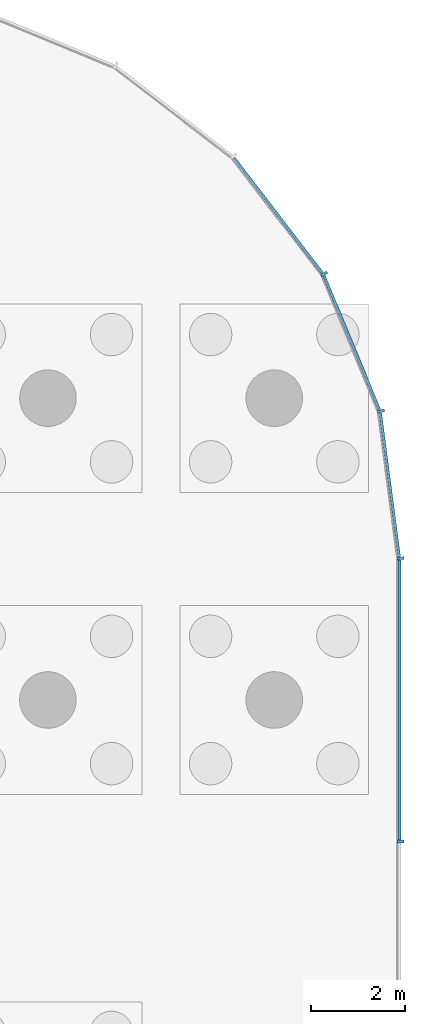
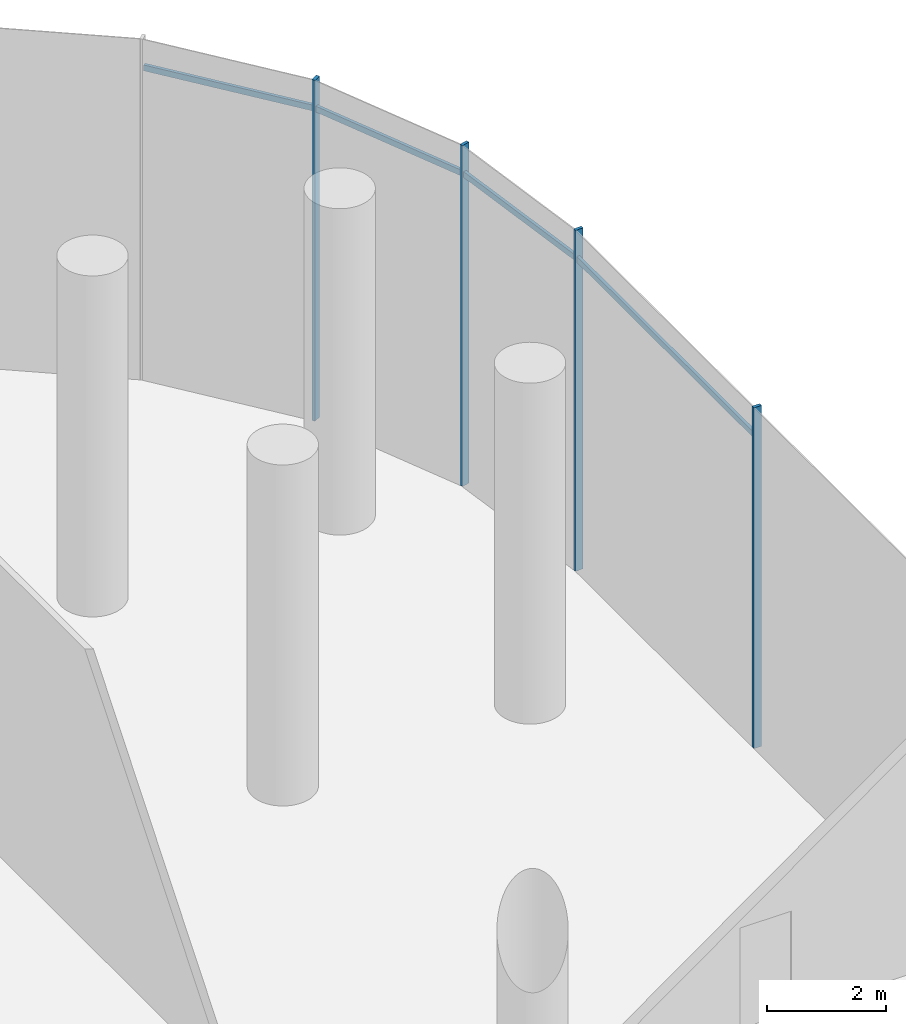
# One storey, part 19 of 41: 8 members, 1 element without a shape of its own.
"""IFC4 building model written with IfcOpenShell, lengths in metres."""

from ifc_helpers import new_model, si_unit, direction, frame, origin, origin_2d, place, context, subcontext, project, spatial, rectangle, extrude, material, material_profile, profile_set, type_object, element, aggregate, save


model = new_model("IFC4")

# Units and contexts
model_context = context("Model", 3, precision=1e-05, world=origin(), true_north=direction((0.0, 1.0)))
body_context = subcontext(model_context, "Body", "Model", "MODEL_VIEW")
ifc_project = project(units=[si_unit("LENGTHUNIT", "METRE"), si_unit("AREAUNIT", "SQUARE_METRE"), si_unit("VOLUMEUNIT", "CUBIC_METRE"), si_unit("PLANEANGLEUNIT", "RADIAN"), si_unit("MASSUNIT", "GRAM", prefix="KILO")], contexts=[model_context])

# Site, building, storey
site_placement = place(None, origin())
site = spatial("IfcSite", under=ifc_project, at=site_placement, CompositionType="ELEMENT")
building_placement = place(site_placement, origin())
building = spatial("IfcBuilding", under=site, at=building_placement, Name="Rimbun Link Towers", CompositionType="ELEMENT")
storey_placement = place(building_placement, origin())
storey = spatial("IfcBuildingStorey", under=building, at=storey_placement, Name="L00", CompositionType="ELEMENT", Elevation=0.0)

# Curtain wall, members
ifc_material_1 = material(Name="Aluminium 6063-T6 and low-iron glass", Category="aluminium")
curtain_wall_type = type_object("IfcCurtainWallType", Name="CW3 podium shopfront", PredefinedType="NOTDEFINED", material=ifc_material_1)
curtain_wall_placement = place(storey_placement, origin())
curtain_wall = element("IfcCurtainWall", 1, at=curtain_wall_placement, inside=storey, type_object=curtain_wall_type, Name="CW3 L00 PD", PredefinedType="NOTDEFINED")
ifc_material_2 = material(Name="Aluminium 6063-T6", Category="aluminium")
ifc_material_profile_1 = material_profile(ifc_material_2, rectangle(XDim=0.14990234375, YDim=0.06005859375, at=origin_2d()), Name="MULLION 60X150")
ifc_profile_set_1 = profile_set([ifc_material_profile_1], Name="Aluminium 6063-T6")
member_type_1 = type_object("IfcMemberType", Name="CW3 mullion 60X150", PredefinedType="MULLION", material=ifc_profile_set_1)
member_1_placement = place(storey_placement, frame((62.074951171875, 18.0, 0.0), z_axis=(0.0, 0.0, 1.0), x_axis=(1.0, 0.0, 0.0)))
member_1 = element("IfcMember", 2, at=member_1_placement, type_object=member_type_1, Name="CW3 mullion", PredefinedType="MULLION", context=body_context, shape_type="SweptSolid", body=[
    extrude(rectangle(XDim=0.14990234375, YDim=0.06005859375, at=origin_2d()), origin(), (0.0, 0.0, 1.0), 7.0),
])
member_2_placement = place(storey_placement, frame((62.074951171875, 24.0048828125, 0.0), z_axis=(0.0, 0.0, 1.0), x_axis=(0.997858781723, 0.065405288299, 0.0)))
member_2 = element("IfcMember", 3, at=member_2_placement, type_object=member_type_1, Name="CW3 mullion", PredefinedType="MULLION", context=body_context, shape_type="SweptSolid", body=[
    extrude(rectangle(XDim=0.14990234375, YDim=0.06005859375, at=origin_2d()), origin(), (0.0, 0.0, 1.0), 7.0),
])
member_3_placement = place(storey_placement, frame((61.66357421875, 27.125244140625, 0.0), z_axis=(0.0, 0.0, 1.0), x_axis=(0.965925910978, 0.258818729038, 0.0)))
member_3 = element("IfcMember", 4, at=member_3_placement, type_object=member_type_1, Name="CW3 mullion", PredefinedType="MULLION", context=body_context, shape_type="SweptSolid", body=[
    extrude(rectangle(XDim=0.14990234375, YDim=0.06005859375, at=origin_2d()), origin(), (0.0, 0.0, 1.0), 7.0),
])
member_4_placement = place(storey_placement, frame((60.457275390625, 30.03759765625, 0.0), z_axis=(0.0, 0.0, 1.0), x_axis=(0.866029040155, 0.499993701568, 0.0)))
member_4 = element("IfcMember", 5, at=member_4_placement, type_object=member_type_1, Name="CW3 mullion", PredefinedType="MULLION", context=body_context, shape_type="SweptSolid", body=[
    extrude(rectangle(XDim=0.14990234375, YDim=0.06005859375, at=origin_2d()), origin(), (0.0, 0.0, 1.0), 7.0),
])
ifc_material_3 = material(Name="Aluminium 6063-T6", Category="aluminium")
ifc_material_profile_2 = material_profile(ifc_material_3, rectangle(XDim=0.06005859375, YDim=0.1201171875, at=origin_2d()), Name="TRANSOM 60X120")
ifc_profile_set_2 = profile_set([ifc_material_profile_2], Name="Aluminium 6063-T6")
member_type_2 = type_object("IfcMemberType", Name="CW3 transom 60X120", PredefinedType="USERDEFINED", material=ifc_profile_set_2)
member_5_placement = place(storey_placement, frame((62.053955078125, 23.969970703125, 6.39990234375), z_axis=(0.0, -1.0, 0.0), x_axis=(1.0, 0.0, 0.0)))
member_5 = element("IfcMember", 6, at=member_5_placement, type_object=member_type_2, Name="CW3 transom", ObjectType="TRANSOM", PredefinedType="USERDEFINED", context=body_context, shape_type="SweptSolid", body=[
    extrude(rectangle(XDim=0.06005859375, YDim=0.1201171875, at=origin_2d()), origin(), (0.0, 0.0, 1.0), 5.93994140625),
])
member_6_placement = place(storey_placement, frame((61.6484375, 27.0830078125, 6.39990234375), z_axis=(0.130555231638, -0.991441037829, 0.0), x_axis=(0.991441037829, 0.130555231638, 0.0)))
member_6 = element("IfcMember", 7, at=member_6_placement, type_object=member_type_2, Name="CW3 transom", ObjectType="TRANSOM", PredefinedType="USERDEFINED", context=body_context, shape_type="SweptSolid", body=[
    extrude(rectangle(XDim=0.06005859375, YDim=0.1201171875, at=origin_2d()), origin(), (0.0, 0.0, 1.0), 3.072509765625),
])
member_7_placement = place(storey_placement, frame((60.45361328125, 29.992919921875, 6.39990234375), z_axis=(0.382679289053, -0.923881248716, 0.0), x_axis=(0.923881248716, 0.382679289053, 0.0)))
member_7 = element("IfcMember", 8, at=member_7_placement, type_object=member_type_2, Name="CW3 transom", ObjectType="TRANSOM", PredefinedType="USERDEFINED", context=body_context, shape_type="SweptSolid", body=[
    extrude(rectangle(XDim=0.06005859375, YDim=0.1201171875, at=origin_2d()), origin(), (0.0, 0.0, 1.0), 3.072509765625),
])
member_8_placement = place(storey_placement, frame((58.54638671875, 32.494384765625, 6.39990234375), z_axis=(0.608773432314, -0.793344129687, 0.0), x_axis=(0.793344129687, 0.608773432314, 0.0)))
member_8 = element("IfcMember", 9, at=member_8_placement, type_object=member_type_2, Name="CW3 transom", ObjectType="TRANSOM", PredefinedType="USERDEFINED", context=body_context, shape_type="SweptSolid", body=[
    extrude(rectangle(XDim=0.06005859375, YDim=0.1201171875, at=origin_2d()), origin(), (0.0, 0.0, 1.0), 3.07275390625),
])
aggregate(curtain_wall, [member_1, member_2, member_3, member_4, member_5, member_6, member_7, member_8])

save(model, "model.ifc")
